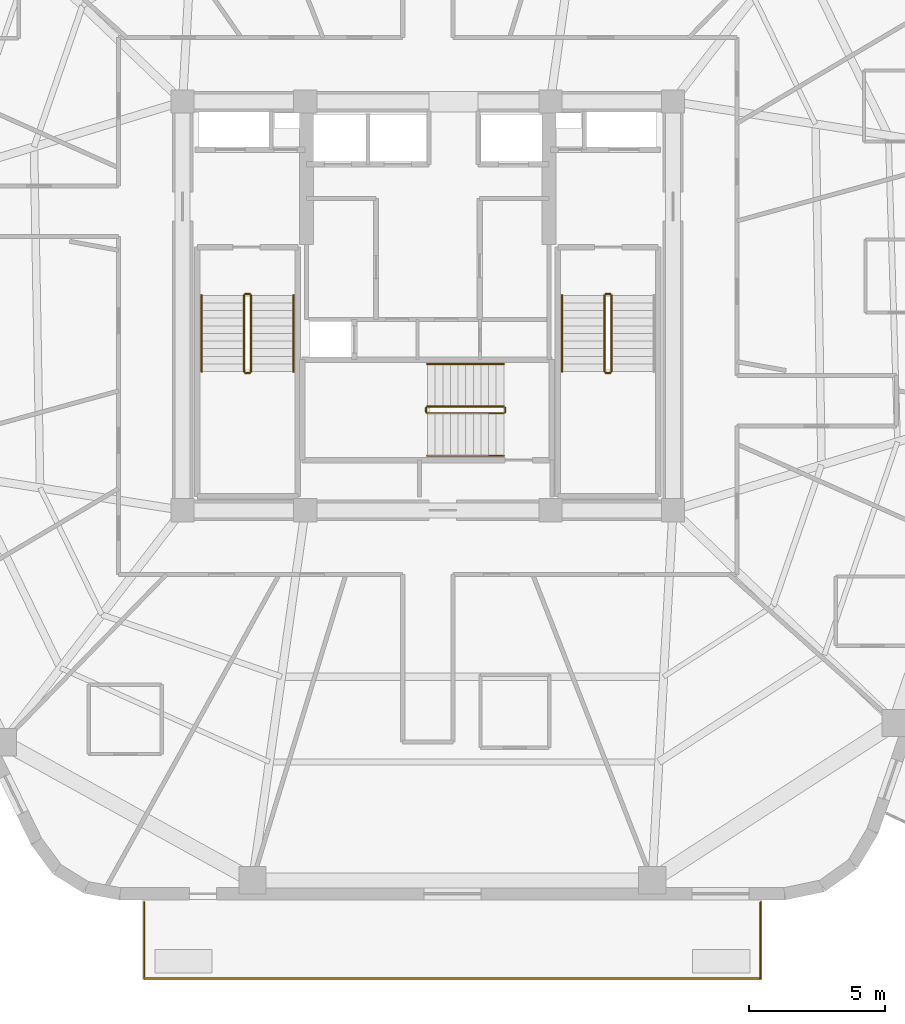
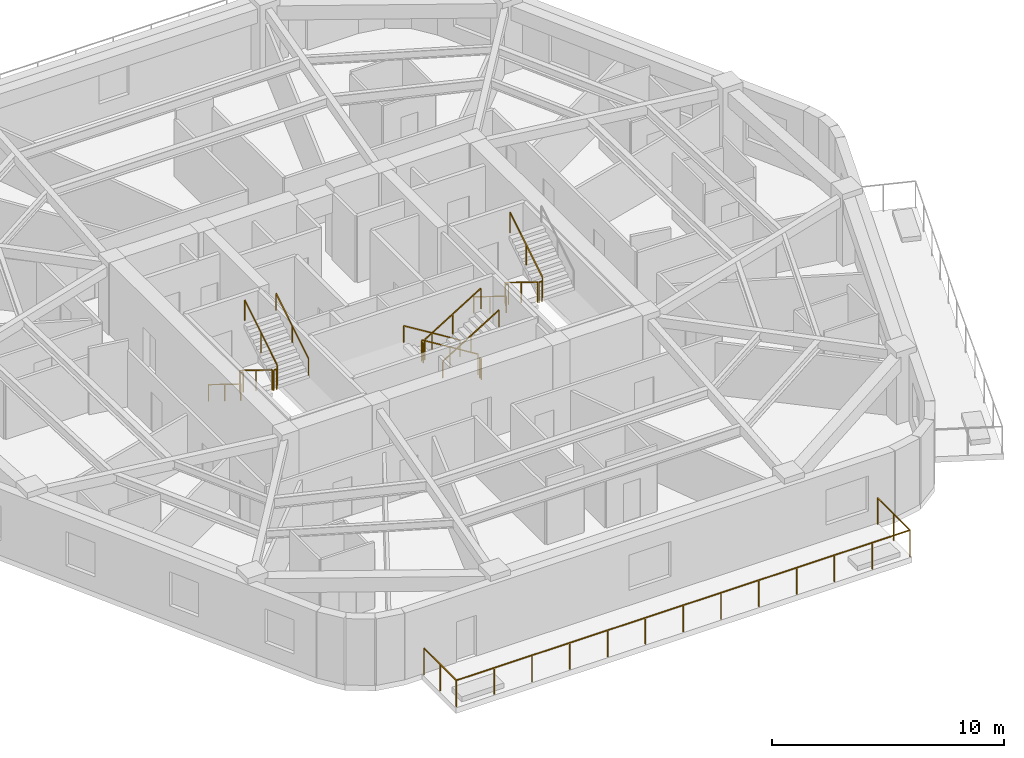
# One storey, part 8 of 9: 18 railings.
"""IFC4 building model written with IfcOpenShell, lengths in metres."""

from ifc_helpers import new_model, si_unit, direction, frame, origin, origin_2d, place, context, subcontext, project, spatial, rectangle, extrude, material, layer, layer_set, type_object, element, save


model = new_model("IFC4")

# Units and contexts
model_context = context("Model", 3, precision=1e-05, world=origin(), true_north=direction((0.0, 1.0)))
body_context = subcontext(model_context, "Body", "Model", "MODEL_VIEW")
ifc_project = project(units=[si_unit("LENGTHUNIT", "METRE"), si_unit("AREAUNIT", "SQUARE_METRE"), si_unit("VOLUMEUNIT", "CUBIC_METRE"), si_unit("PLANEANGLEUNIT", "RADIAN"), si_unit("MASSUNIT", "GRAM", prefix="KILO")], contexts=[model_context])

# Site, building, storey
site_placement = place(None, origin())
site = spatial("IfcSite", under=ifc_project, at=site_placement, CompositionType="ELEMENT")
building_placement = place(site_placement, origin())
building = spatial("IfcBuilding", under=site, at=building_placement, Name="Kilnhurst Terrace Hotel", CompositionType="ELEMENT")
storey_placement = place(building_placement, frame((0.0, 0.0, 229.300048828125)))
storey = spatial("IfcBuildingStorey", under=building, at=storey_placement, Name="L57", CompositionType="ELEMENT", Elevation=229.300048828125)

# Railings
ifc_material_1 = material(Name="Laminated SentryGlas and Stainless Steel AISI 316L Balustrade", Category="steel")
ifc_layer_1 = layer(ifc_material_1, 0.070068359375, Name="Laminated SentryGlas and Stainless Steel AISI 316L Balustrade")
ifc_layer_set_1 = layer_set([ifc_layer_1], Name="Laminated SentryGlas and Stainless Steel AISI 316L Balustrade")
railing_type_1 = type_object("IfcRailingType", Name="RLG-BAL-1420", PredefinedType="BALUSTRADE", material=ifc_layer_set_1)
railing_1_placement = place(storey_placement, frame((12.21484375, -21.8798828125, 0.0)))
element("IfcRailing", 1, at=railing_1_placement, inside=storey, type_object=railing_type_1, Name="L57 Exterior Terrace Guardrail BAL-L1A.1", PredefinedType="BALUSTRADE", context=body_context, shape_type="SweptSolid", body=[
    extrude(rectangle(XDim=0.048095703125, YDim=0.048095703125, at=origin_2d()), frame((0.0, 0.0, 1.39599609375), z_axis=(0.0, -1.0, 0.0), x_axis=(1.0, 0.0, 0.0)), (0.0, 0.0, 1.0), 2.800048828125),
    extrude(rectangle(XDim=0.048095703125, YDim=0.048095703125, at=origin_2d()), frame((0.0, -2.800048828125, 1.39599609375), z_axis=(-1.0, 0.0, 0.0), x_axis=(0.0, -1.0, 0.0)), (0.0, 0.0, 1.0), 22.62353515625),
    extrude(rectangle(XDim=0.048095703125, YDim=0.048095703125, at=origin_2d()), frame((-22.62353515625, -2.800048828125, 1.39599609375), z_axis=(0.0, 1.0, 0.0), x_axis=(-1.0, 0.0, 0.0)), (0.0, 0.0, 1.0), 2.800048828125),
    extrude(rectangle(XDim=0.0419921875, YDim=0.0419921875, at=origin_2d()), origin(), (0.0, 0.0, 1.0), 1.371826171875),
    extrude(rectangle(XDim=0.0419921875, YDim=0.0419921875, at=origin_2d()), frame((0.0, -1.39990234375, 0.0)), (0.0, 0.0, 1.0), 1.371826171875),
    extrude(rectangle(XDim=0.0419921875, YDim=0.0419921875, at=origin_2d()), frame((0.0, -2.800048828125, 0.0)), (0.0, 0.0, 1.0), 1.371826171875),
    extrude(rectangle(XDim=0.0419921875, YDim=0.0419921875, at=origin_2d()), frame((-1.88525390625, -2.800048828125, 0.0)), (0.0, 0.0, 1.0), 1.371826171875),
    extrude(rectangle(XDim=0.0419921875, YDim=0.0419921875, at=origin_2d()), frame((-3.7705078125, -2.800048828125, 0.0)), (0.0, 0.0, 1.0), 1.371826171875),
    extrude(rectangle(XDim=0.0419921875, YDim=0.0419921875, at=origin_2d()), frame((-5.65576171875, -2.800048828125, 0.0)), (0.0, 0.0, 1.0), 1.371826171875),
    extrude(rectangle(XDim=0.0419921875, YDim=0.0419921875, at=origin_2d()), frame((-7.541259765625, -2.800048828125, 0.0)), (0.0, 0.0, 1.0), 1.371826171875),
    extrude(rectangle(XDim=0.0419921875, YDim=0.0419921875, at=origin_2d()), frame((-9.426513671875, -2.800048828125, 0.0)), (0.0, 0.0, 1.0), 1.371826171875),
    extrude(rectangle(XDim=0.0419921875, YDim=0.0419921875, at=origin_2d()), frame((-11.311767578125, -2.800048828125, 0.0)), (0.0, 0.0, 1.0), 1.371826171875),
    extrude(rectangle(XDim=0.0419921875, YDim=0.0419921875, at=origin_2d()), frame((-13.197021484375, -2.800048828125, 0.0)), (0.0, 0.0, 1.0), 1.371826171875),
    extrude(rectangle(XDim=0.0419921875, YDim=0.0419921875, at=origin_2d()), frame((-15.082275390625, -2.800048828125, 0.0)), (0.0, 0.0, 1.0), 1.371826171875),
    extrude(rectangle(XDim=0.0419921875, YDim=0.0419921875, at=origin_2d()), frame((-16.9677734375, -2.800048828125, 0.0)), (0.0, 0.0, 1.0), 1.371826171875),
    extrude(rectangle(XDim=0.0419921875, YDim=0.0419921875, at=origin_2d()), frame((-18.85302734375, -2.800048828125, 0.0)), (0.0, 0.0, 1.0), 1.371826171875),
    extrude(rectangle(XDim=0.0419921875, YDim=0.0419921875, at=origin_2d()), frame((-20.73828125, -2.800048828125, 0.0)), (0.0, 0.0, 1.0), 1.371826171875),
    extrude(rectangle(XDim=0.0419921875, YDim=0.0419921875, at=origin_2d()), frame((-22.62353515625, -2.800048828125, 0.0)), (0.0, 0.0, 1.0), 1.371826171875),
    extrude(rectangle(XDim=0.0419921875, YDim=0.0419921875, at=origin_2d()), frame((-22.62353515625, -1.39990234375, 0.0)), (0.0, 0.0, 1.0), 1.371826171875),
    extrude(rectangle(XDim=0.0419921875, YDim=0.0419921875, at=origin_2d()), frame((-22.62353515625, 0.0, 0.0)), (0.0, 0.0, 1.0), 1.371826171875),
])
ifc_material_2 = material(Name="Powder-Coated Steel ASTM A500 Grade B", Category="steel")
ifc_layer_2 = layer(ifc_material_2, 0.050048828125, Name="Powder-Coated Steel ASTM A500 Grade B")
ifc_layer_set_2 = layer_set([ifc_layer_2], Name="Powder-Coated Steel ASTM A500 Grade B")
railing_type_2 = type_object("IfcRailingType", Name="RLG-ST-GRD-1100", PredefinedType="GUARDRAIL", material=ifc_layer_set_2)
railing_2_placement = place(storey_placement, frame((-6.739990234375, 0.389892578125, 0.172607421875)))
element("IfcRailing", 2, at=railing_2_placement, inside=storey, type_object=railing_type_2, Name="L57 ST-1 stair guard 1", PredefinedType="GUARDRAIL", context=body_context, shape_type="SweptSolid", body=[
    extrude(rectangle(XDim=0.048095703125, YDim=0.048095703125, at=origin_2d()), frame((0.0, 0.0, 1.076171875), z_axis=(0.0, -0.851069175582, 0.525053576669), x_axis=(1.0, 0.0, 0.0)), (0.0, 0.0, 1.0), 3.289794921875),
    extrude(rectangle(XDim=0.0419921875, YDim=0.0419921875, at=origin_2d()), origin(), (0.0, 0.0, 1.0), 1.052001953125),
    extrude(rectangle(XDim=0.0419921875, YDim=0.0419921875, at=origin_2d()), frame((0.0, -1.39990234375, 0.86376953125)), (0.0, 0.0, 1.0), 1.052001953125),
    extrude(rectangle(XDim=0.0419921875, YDim=0.0419921875, at=origin_2d()), frame((0.0, -2.7998046875, 1.727294921875)), (0.0, 0.0, 1.0), 1.052001953125),
])
railing_3_placement = place(storey_placement, frame((-6.68994140625, -2.4599609375, 1.89990234375)))
element("IfcRailing", 3, at=railing_3_placement, inside=storey, type_object=railing_type_2, Name="L57 ST-1 stair guard 2", PredefinedType="GUARDRAIL", context=body_context, shape_type="SweptSolid", body=[
    extrude(rectangle(XDim=0.048095703125, YDim=0.048095703125, at=origin_2d()), frame((0.0, 0.0, 1.076171875), z_axis=(1.0, 0.0, 0.0), x_axis=(0.0, 1.0, 0.0)), (0.0, 0.0, 1.0), 0.14990234375),
    extrude(rectangle(XDim=0.0419921875, YDim=0.0419921875, at=origin_2d()), origin(), (0.0, 0.0, 1.0), 1.052001953125),
    extrude(rectangle(XDim=0.0419921875, YDim=0.0419921875, at=origin_2d()), frame((0.14990234375, 0.0, 0.0)), (0.0, 0.0, 1.0), 1.052001953125),
])
railing_4_placement = place(storey_placement, frame((-6.489990234375, -2.409912109375, 2.07275390625)))
element("IfcRailing", 4, at=railing_4_placement, inside=storey, type_object=railing_type_2, Name="L57 ST-1 stair guard 3", PredefinedType="GUARDRAIL", context=body_context, shape_type="SweptSolid", body=[
    extrude(rectangle(XDim=0.048095703125, YDim=0.048095703125, at=origin_2d()), frame((0.0, 0.0, 1.076171875), z_axis=(0.0, 0.851069175582, 0.525053576669), x_axis=(-1.0, 0.0, 0.0)), (0.0, 0.0, 1.0), 3.289794921875),
    extrude(rectangle(XDim=0.0419921875, YDim=0.0419921875, at=origin_2d()), origin(), (0.0, 0.0, 1.0), 1.052001953125),
    extrude(rectangle(XDim=0.0419921875, YDim=0.0419921875, at=origin_2d()), frame((0.0, 1.39990234375, 0.86376953125)), (0.0, 0.0, 1.0), 1.052001953125),
    extrude(rectangle(XDim=0.0419921875, YDim=0.0419921875, at=origin_2d()), frame((0.0, 2.7998046875, 1.727294921875)), (0.0, 0.0, 1.0), 1.052001953125),
])
railing_5_placement = place(storey_placement, frame((-6.68994140625, 0.43994140625, 0.0)))
element("IfcRailing", 5, at=railing_5_placement, inside=storey, type_object=railing_type_2, Name="L57 ST-1 stair guard 4", PredefinedType="GUARDRAIL", context=body_context, shape_type="SweptSolid", body=[
    extrude(rectangle(XDim=0.048095703125, YDim=0.048095703125, at=origin_2d()), frame((0.0, 0.0, 1.076171875), z_axis=(1.0, 0.0, 0.0), x_axis=(0.0, 1.0, 0.0)), (0.0, 0.0, 1.0), 0.14990234375),
    extrude(rectangle(XDim=0.0419921875, YDim=0.0419921875, at=origin_2d()), origin(), (0.0, 0.0, 1.0), 1.052001953125),
    extrude(rectangle(XDim=0.0419921875, YDim=0.0419921875, at=origin_2d()), frame((0.14990234375, 0.0, 0.0)), (0.0, 0.0, 1.0), 1.052001953125),
])
railing_6_placement = place(storey_placement, frame((6.489990234375, 0.389892578125, 0.172607421875)))
element("IfcRailing", 6, at=railing_6_placement, inside=storey, type_object=railing_type_2, Name="L57 ST-2 stair guard 1", PredefinedType="GUARDRAIL", context=body_context, shape_type="SweptSolid", body=[
    extrude(rectangle(XDim=0.048095703125, YDim=0.048095703125, at=origin_2d()), frame((0.0, 0.0, 1.076171875), z_axis=(0.0, -0.851069175582, 0.525053576669), x_axis=(1.0, 0.0, 0.0)), (0.0, 0.0, 1.0), 3.289794921875),
    extrude(rectangle(XDim=0.0419921875, YDim=0.0419921875, at=origin_2d()), origin(), (0.0, 0.0, 1.0), 1.052001953125),
    extrude(rectangle(XDim=0.0419921875, YDim=0.0419921875, at=origin_2d()), frame((0.0, -1.39990234375, 0.86376953125)), (0.0, 0.0, 1.0), 1.052001953125),
    extrude(rectangle(XDim=0.0419921875, YDim=0.0419921875, at=origin_2d()), frame((0.0, -2.7998046875, 1.727294921875)), (0.0, 0.0, 1.0), 1.052001953125),
])
railing_7_placement = place(storey_placement, frame((6.5400390625, -2.4599609375, 1.89990234375)))
element("IfcRailing", 7, at=railing_7_placement, inside=storey, type_object=railing_type_2, Name="L57 ST-2 stair guard 2", PredefinedType="GUARDRAIL", context=body_context, shape_type="SweptSolid", body=[
    extrude(rectangle(XDim=0.048095703125, YDim=0.048095703125, at=origin_2d()), frame((0.0, 0.0, 1.076171875), z_axis=(1.0, 0.0, 0.0), x_axis=(0.0, 1.0, 0.0)), (0.0, 0.0, 1.0), 0.14990234375),
    extrude(rectangle(XDim=0.0419921875, YDim=0.0419921875, at=origin_2d()), origin(), (0.0, 0.0, 1.0), 1.052001953125),
    extrude(rectangle(XDim=0.0419921875, YDim=0.0419921875, at=origin_2d()), frame((0.14990234375, 0.0, 0.0)), (0.0, 0.0, 1.0), 1.052001953125),
])
railing_8_placement = place(storey_placement, frame((6.739990234375, -2.409912109375, 2.07275390625)))
element("IfcRailing", 8, at=railing_8_placement, inside=storey, type_object=railing_type_2, Name="L57 ST-2 stair guard 3", PredefinedType="GUARDRAIL", context=body_context, shape_type="SweptSolid", body=[
    extrude(rectangle(XDim=0.048095703125, YDim=0.048095703125, at=origin_2d()), frame((0.0, 0.0, 1.076171875), z_axis=(0.0, 0.851069175582, 0.525053576669), x_axis=(-1.0, 0.0, 0.0)), (0.0, 0.0, 1.0), 3.289794921875),
    extrude(rectangle(XDim=0.0419921875, YDim=0.0419921875, at=origin_2d()), origin(), (0.0, 0.0, 1.0), 1.052001953125),
    extrude(rectangle(XDim=0.0419921875, YDim=0.0419921875, at=origin_2d()), frame((0.0, 1.39990234375, 0.86376953125)), (0.0, 0.0, 1.0), 1.052001953125),
    extrude(rectangle(XDim=0.0419921875, YDim=0.0419921875, at=origin_2d()), frame((0.0, 2.7998046875, 1.727294921875)), (0.0, 0.0, 1.0), 1.052001953125),
])
railing_9_placement = place(storey_placement, frame((6.5400390625, 0.43994140625, 0.0)))
element("IfcRailing", 9, at=railing_9_placement, inside=storey, type_object=railing_type_2, Name="L57 ST-2 stair guard 4", PredefinedType="GUARDRAIL", context=body_context, shape_type="SweptSolid", body=[
    extrude(rectangle(XDim=0.048095703125, YDim=0.048095703125, at=origin_2d()), frame((0.0, 0.0, 1.076171875), z_axis=(1.0, 0.0, 0.0), x_axis=(0.0, 1.0, 0.0)), (0.0, 0.0, 1.0), 0.14990234375),
    extrude(rectangle(XDim=0.0419921875, YDim=0.0419921875, at=origin_2d()), origin(), (0.0, 0.0, 1.0), 1.052001953125),
    extrude(rectangle(XDim=0.0419921875, YDim=0.0419921875, at=origin_2d()), frame((0.14990234375, 0.0, 0.0)), (0.0, 0.0, 1.0), 1.052001953125),
])
railing_10_placement = place(storey_placement, frame((2.7900390625, -3.68994140625, 0.172607421875)))
element("IfcRailing", 10, at=railing_10_placement, inside=storey, type_object=railing_type_2, Name="L57 ST-3 stair guard 1", PredefinedType="GUARDRAIL", context=body_context, shape_type="SweptSolid", body=[
    extrude(rectangle(XDim=0.048095703125, YDim=0.048095703125, at=origin_2d()), frame((0.0, 0.0, 1.076171875), z_axis=(-0.851089632645, 0.0, 0.525020415988), x_axis=(0.0, -1.0, 0.0)), (0.0, 0.0, 1.0), 3.2900390625),
    extrude(rectangle(XDim=0.0419921875, YDim=0.0419921875, at=origin_2d()), origin(), (0.0, 0.0, 1.0), 1.052001953125),
    extrude(rectangle(XDim=0.0419921875, YDim=0.0419921875, at=origin_2d()), frame((-1.39990234375, 0.0, 0.86376953125)), (0.0, 0.0, 1.0), 1.052001953125),
    extrude(rectangle(XDim=0.0419921875, YDim=0.0419921875, at=origin_2d()), frame((-2.800048828125, 0.0, 1.727294921875)), (0.0, 0.0, 1.0), 1.052001953125),
])
railing_11_placement = place(storey_placement, frame((-0.06005859375, -3.739990234375, 1.89990234375)))
element("IfcRailing", 11, at=railing_11_placement, inside=storey, type_object=railing_type_2, Name="L57 ST-3 stair guard 2", PredefinedType="GUARDRAIL", context=body_context, shape_type="SweptSolid", body=[
    extrude(rectangle(XDim=0.048095703125, YDim=0.048095703125, at=origin_2d()), frame((0.0, 0.0, 1.076171875), z_axis=(0.0, -1.0, 0.0), x_axis=(1.0, 0.0, 0.0)), (0.0, 0.0, 1.0), 0.14990234375),
    extrude(rectangle(XDim=0.0419921875, YDim=0.0419921875, at=origin_2d()), origin(), (0.0, 0.0, 1.0), 1.052001953125),
    extrude(rectangle(XDim=0.0419921875, YDim=0.0419921875, at=origin_2d()), frame((0.0, -0.14990234375, 0.0)), (0.0, 0.0, 1.0), 1.052001953125),
])
railing_12_placement = place(storey_placement, frame((-0.010009765625, -3.93994140625, 2.07275390625)))
element("IfcRailing", 12, at=railing_12_placement, inside=storey, type_object=railing_type_2, Name="L57 ST-3 stair guard 3", PredefinedType="GUARDRAIL", context=body_context, shape_type="SweptSolid", body=[
    extrude(rectangle(XDim=0.048095703125, YDim=0.048095703125, at=origin_2d()), frame((0.0, 0.0, 1.076171875), z_axis=(0.851089632645, 0.0, 0.525020415988), x_axis=(0.0, 1.0, 0.0)), (0.0, 0.0, 1.0), 3.2900390625),
    extrude(rectangle(XDim=0.0419921875, YDim=0.0419921875, at=origin_2d()), origin(), (0.0, 0.0, 1.0), 1.052001953125),
    extrude(rectangle(XDim=0.0419921875, YDim=0.0419921875, at=origin_2d()), frame((1.39990234375, 0.0, 0.86376953125)), (0.0, 0.0, 1.0), 1.052001953125),
    extrude(rectangle(XDim=0.0419921875, YDim=0.0419921875, at=origin_2d()), frame((2.800048828125, 0.0, 1.727294921875)), (0.0, 0.0, 1.0), 1.052001953125),
])
railing_13_placement = place(storey_placement, frame((2.840087890625, -3.739990234375, 0.0)))
element("IfcRailing", 13, at=railing_13_placement, inside=storey, type_object=railing_type_2, Name="L57 ST-3 stair guard 4", PredefinedType="GUARDRAIL", context=body_context, shape_type="SweptSolid", body=[
    extrude(rectangle(XDim=0.048095703125, YDim=0.048095703125, at=origin_2d()), frame((0.0, 0.0, 1.076171875), z_axis=(0.0, -1.0, 0.0), x_axis=(1.0, 0.0, 0.0)), (0.0, 0.0, 1.0), 0.14990234375),
    extrude(rectangle(XDim=0.0419921875, YDim=0.0419921875, at=origin_2d()), origin(), (0.0, 0.0, 1.0), 1.052001953125),
    extrude(rectangle(XDim=0.0419921875, YDim=0.0419921875, at=origin_2d()), frame((0.0, -0.14990234375, 0.0)), (0.0, 0.0, 1.0), 1.052001953125),
])
ifc_material_3 = material(Name="Brushed Stainless Steel AISI 304", Category="steel")
ifc_layer_3 = layer(ifc_material_3, 0.048095703125, Name="Brushed Stainless Steel AISI 304")
ifc_layer_set_3 = layer_set([ifc_layer_3], Name="Brushed Stainless Steel AISI 304")
railing_type_3 = type_object("IfcRailingType", Name="RLG-ST-HRL-900", PredefinedType="HANDRAIL", material=ifc_layer_set_3)
railing_14_placement = place(storey_placement, frame((-8.300048828125, 0.389892578125, 0.172607421875)))
element("IfcRailing", 14, at=railing_14_placement, inside=storey, type_object=railing_type_3, Name="L57 ST-1 stair handrail 1", PredefinedType="HANDRAIL", context=body_context, shape_type="SweptSolid", body=[
    extrude(rectangle(XDim=0.048095703125, YDim=0.048095703125, at=origin_2d()), frame((0.0, 0.0, 0.8759765625), z_axis=(0.0, -0.851069175582, 0.525053576669), x_axis=(1.0, 0.0, 0.0)), (0.0, 0.0, 1.0), 3.289794921875),
    extrude(rectangle(XDim=0.0419921875, YDim=0.0419921875, at=origin_2d()), origin(), (0.0, 0.0, 1.0), 0.851806640625),
    extrude(rectangle(XDim=0.0419921875, YDim=0.0419921875, at=origin_2d()), frame((0.0, -1.39990234375, 0.86376953125)), (0.0, 0.0, 1.0), 0.851806640625),
    extrude(rectangle(XDim=0.0419921875, YDim=0.0419921875, at=origin_2d()), frame((0.0, -2.7998046875, 1.727294921875)), (0.0, 0.0, 1.0), 0.851806640625),
])
railing_15_placement = place(storey_placement, frame((-4.929931640625, -2.409912109375, 2.07275390625)))
element("IfcRailing", 15, at=railing_15_placement, inside=storey, type_object=railing_type_3, Name="L57 ST-1 stair handrail 2", PredefinedType="HANDRAIL", context=body_context, shape_type="SweptSolid", body=[
    extrude(rectangle(XDim=0.048095703125, YDim=0.048095703125, at=origin_2d()), frame((0.0, 0.0, 0.8759765625), z_axis=(0.0, 0.851069175582, 0.525053576669), x_axis=(-1.0, 0.0, 0.0)), (0.0, 0.0, 1.0), 3.289794921875),
    extrude(rectangle(XDim=0.0419921875, YDim=0.0419921875, at=origin_2d()), origin(), (0.0, 0.0, 1.0), 0.851806640625),
    extrude(rectangle(XDim=0.0419921875, YDim=0.0419921875, at=origin_2d()), frame((0.0, 1.39990234375, 0.86376953125)), (0.0, 0.0, 1.0), 0.851806640625),
    extrude(rectangle(XDim=0.0419921875, YDim=0.0419921875, at=origin_2d()), frame((0.0, 2.7998046875, 1.727294921875)), (0.0, 0.0, 1.0), 0.851806640625),
])
railing_16_placement = place(storey_placement, frame((4.929931640625, 0.389892578125, 0.172607421875)))
element("IfcRailing", 16, at=railing_16_placement, inside=storey, type_object=railing_type_3, Name="L57 ST-2 stair handrail 1", PredefinedType="HANDRAIL", context=body_context, shape_type="SweptSolid", body=[
    extrude(rectangle(XDim=0.048095703125, YDim=0.048095703125, at=origin_2d()), frame((0.0, 0.0, 0.8759765625), z_axis=(0.0, -0.851069175582, 0.525053576669), x_axis=(1.0, 0.0, 0.0)), (0.0, 0.0, 1.0), 3.289794921875),
    extrude(rectangle(XDim=0.0419921875, YDim=0.0419921875, at=origin_2d()), origin(), (0.0, 0.0, 1.0), 0.851806640625),
    extrude(rectangle(XDim=0.0419921875, YDim=0.0419921875, at=origin_2d()), frame((0.0, -1.39990234375, 0.86376953125)), (0.0, 0.0, 1.0), 0.851806640625),
    extrude(rectangle(XDim=0.0419921875, YDim=0.0419921875, at=origin_2d()), frame((0.0, -2.7998046875, 1.727294921875)), (0.0, 0.0, 1.0), 0.851806640625),
])
railing_17_placement = place(storey_placement, frame((2.7900390625, -2.1298828125, 0.172607421875)))
element("IfcRailing", 17, at=railing_17_placement, inside=storey, type_object=railing_type_3, Name="L57 ST-3 stair handrail 1", PredefinedType="HANDRAIL", context=body_context, shape_type="SweptSolid", body=[
    extrude(rectangle(XDim=0.048095703125, YDim=0.048095703125, at=origin_2d()), frame((0.0, 0.0, 0.8759765625), z_axis=(-0.851089632645, 0.0, 0.525020415988), x_axis=(0.0, -1.0, 0.0)), (0.0, 0.0, 1.0), 3.2900390625),
    extrude(rectangle(XDim=0.0419921875, YDim=0.0419921875, at=origin_2d()), origin(), (0.0, 0.0, 1.0), 0.851806640625),
    extrude(rectangle(XDim=0.0419921875, YDim=0.0419921875, at=origin_2d()), frame((-1.39990234375, 0.0, 0.86376953125)), (0.0, 0.0, 1.0), 0.851806640625),
    extrude(rectangle(XDim=0.0419921875, YDim=0.0419921875, at=origin_2d()), frame((-2.800048828125, 0.0, 1.727294921875)), (0.0, 0.0, 1.0), 0.851806640625),
])
railing_18_placement = place(storey_placement, frame((-0.010009765625, -5.5, 2.07275390625)))
element("IfcRailing", 18, at=railing_18_placement, inside=storey, type_object=railing_type_3, Name="L57 ST-3 stair handrail 2", PredefinedType="HANDRAIL", context=body_context, shape_type="SweptSolid", body=[
    extrude(rectangle(XDim=0.048095703125, YDim=0.048095703125, at=origin_2d()), frame((0.0, 0.0, 0.8759765625), z_axis=(0.851089632645, 0.0, 0.525020415988), x_axis=(0.0, 1.0, 0.0)), (0.0, 0.0, 1.0), 3.2900390625),
    extrude(rectangle(XDim=0.0419921875, YDim=0.0419921875, at=origin_2d()), origin(), (0.0, 0.0, 1.0), 0.851806640625),
    extrude(rectangle(XDim=0.0419921875, YDim=0.0419921875, at=origin_2d()), frame((1.39990234375, 0.0, 0.86376953125)), (0.0, 0.0, 1.0), 0.851806640625),
    extrude(rectangle(XDim=0.0419921875, YDim=0.0419921875, at=origin_2d()), frame((2.800048828125, 0.0, 1.727294921875)), (0.0, 0.0, 1.0), 0.851806640625),
])

save(model, "model.ifc")
